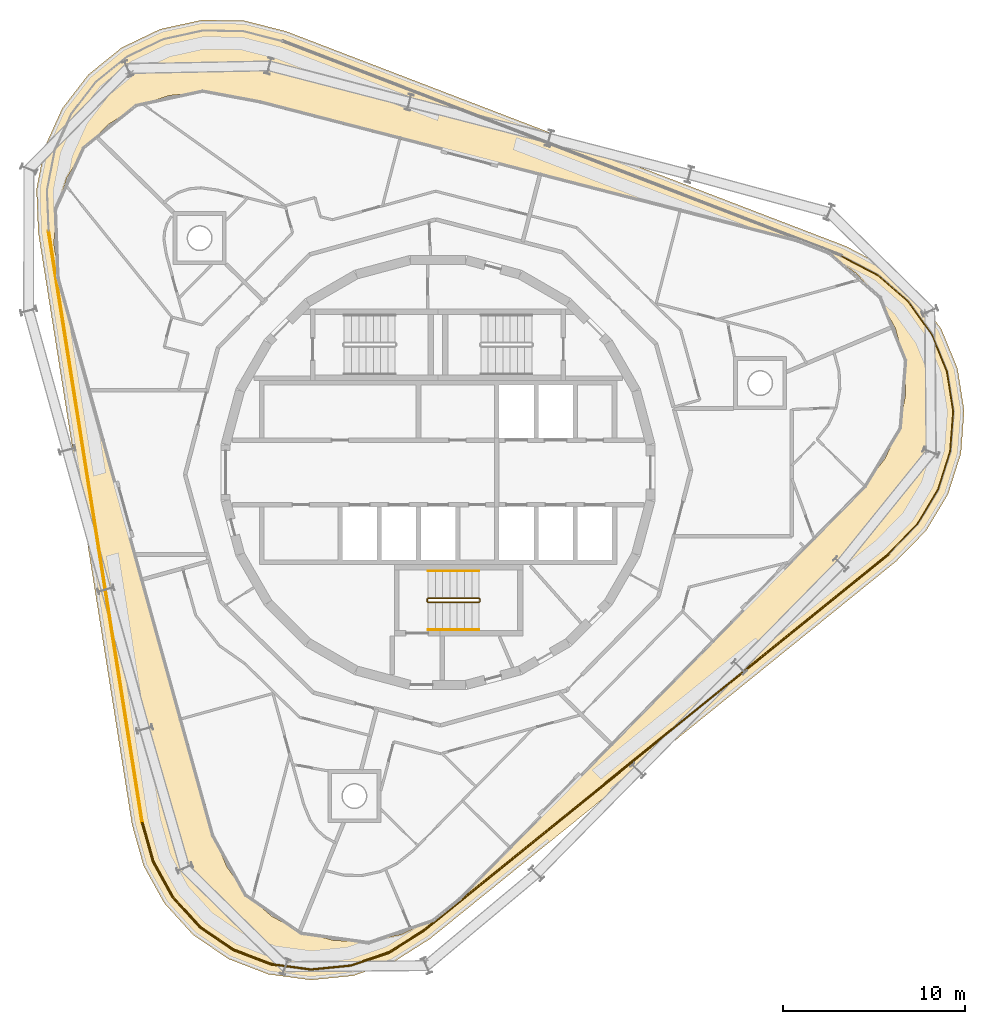
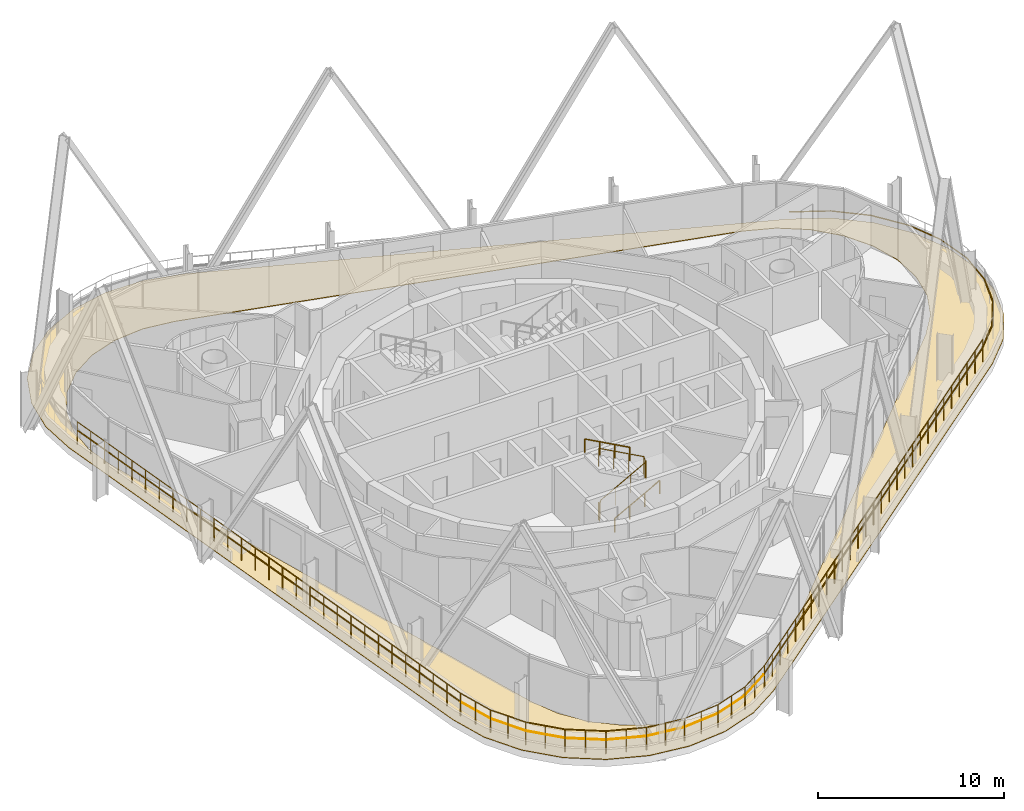
# One storey, part 16 of 18: 10 railings, 1 covering.
"""IFC4 building model written with IfcOpenShell, lengths in metres."""

from ifc_helpers import new_model, si_unit, direction, frame, origin, origin_2d, place, context, subcontext, project, spatial, polyline, circle, outline, extrude, material, layer, layer_set, type_object, element, save


model = new_model("IFC4")

# Units and contexts
model_context = context("Model", 3, precision=1e-05, world=origin(), true_north=direction((0.0, 1.0)))
body_context = subcontext(model_context, "Body", "Model", "MODEL_VIEW")
ifc_project = project(units=[si_unit("LENGTHUNIT", "METRE"), si_unit("AREAUNIT", "SQUARE_METRE"), si_unit("VOLUMEUNIT", "CUBIC_METRE"), si_unit("PLANEANGLEUNIT", "RADIAN"), si_unit("MASSUNIT", "GRAM", prefix="KILO")], contexts=[model_context])

# Site, building, storey
site_placement = place(None, origin())
site = spatial("IfcSite", under=ifc_project, at=site_placement, CompositionType="ELEMENT")
building_placement = place(site_placement, origin())
building = spatial("IfcBuilding", under=site, at=building_placement, Name="Spindle Arch Residences", CompositionType="ELEMENT")
storey_placement = place(building_placement, frame((0.0, 0.0, 298.199951171875)))
storey = spatial("IfcBuildingStorey", under=building, at=storey_placement, Name="L76", CompositionType="ELEMENT", Elevation=298.199951171875)

# Railings
ifc_material_1 = material(Name="Steel, painted", Category="steel")
railing_type_1 = type_object("IfcRailingType", Name="Stair guard 1100", PredefinedType="GUARDRAIL", material=ifc_material_1)
railing_1_placement = place(storey_placement, frame((-0.550048828125, -6.89990234375, 3.5)))
element("IfcRailing", 1, at=railing_1_placement, inside=storey, type_object=railing_type_1, Name="L76 ST3 stair guard 1", PredefinedType="GUARDRAIL", context=body_context, shape_type="SweptSolid", body=[
    extrude(circle(Radius=0.02392578125, at=origin_2d()), frame((0.0, 0.0, 1.17578125), z_axis=(0.877374661878, 0.0, -0.479805901063), x_axis=(0.0, 1.0, 0.0)), (0.0, 0.0, 1.0), 3.19140625),
    extrude(circle(Radius=0.02392578125, at=origin_2d()), frame((2.800048828125, 0.0, -0.35546875), z_axis=(0.217683172539, -0.217683172539, -0.951434744366), x_axis=(0.707106781187, 0.707106781187, 0.0)), (0.0, 0.0, 1.0), 0.22998046875),
    extrude(circle(Radius=0.02392578125, at=origin_2d()), frame((2.85009765625, -0.050048828125, -0.57421875), z_axis=(0.0, -1.0, 0.0), x_axis=(1.0, 0.0, 0.0)), (0.0, 0.0, 1.0), 0.1201171875),
    extrude(circle(Radius=0.02392578125, at=origin_2d()), frame((2.85009765625, -0.170166015625, -0.57421875), z_axis=(-0.707106781187, -0.707106781187, 0.0), x_axis=(0.707106781187, -0.707106781187, 0.0)), (0.0, 0.0, 1.0), 0.07080078125),
    extrude(circle(Radius=0.02392578125, at=origin_2d()), frame((2.800048828125, -0.22021484375, -0.57421875), z_axis=(-0.877374661878, 0.0, -0.479805901063), x_axis=(0.0, -1.0, 0.0)), (0.0, 0.0, 1.0), 3.19140625),
    extrude(circle(Radius=0.02392578125, at=origin_2d()), frame((0.0, -0.22021484375, -2.10546875), z_axis=(-0.217683172539, 0.217683172539, -0.951434744366), x_axis=(-0.707106781187, -0.707106781187, 0.0)), (0.0, 0.0, 1.0), 0.22998046875),
    extrude(circle(Radius=0.02392578125, at=origin_2d()), frame((-0.050048828125, -0.170166015625, -2.32421875), z_axis=(0.0, 1.0, 0.0), x_axis=(-1.0, 0.0, 0.0)), (0.0, 0.0, 1.0), 0.1201171875),
    extrude(circle(Radius=0.02099609375, at=origin_2d()), origin(), (0.0, 0.0, 1.0), 1.15185546875),
    extrude(circle(Radius=0.02099609375, at=origin_2d()), frame((0.933349609375, 0.0, -0.510498046875)), (0.0, 0.0, 1.0), 1.15185546875),
    extrude(circle(Radius=0.02099609375, at=origin_2d()), frame((1.86669921875, 0.0, -1.020751953125)), (0.0, 0.0, 1.0), 1.15185546875),
    extrude(circle(Radius=0.02099609375, at=origin_2d()), frame((2.800048828125, 0.0, -1.53125)), (0.0, 0.0, 1.0), 1.15185546875),
    extrude(circle(Radius=0.02099609375, at=origin_2d()), frame((2.85009765625, -0.050048828125, -1.75)), (0.0, 0.0, 1.0), 1.15185546875),
    extrude(circle(Radius=0.02099609375, at=origin_2d()), frame((2.85009765625, -0.170166015625, -1.75)), (0.0, 0.0, 1.0), 1.15185546875),
    extrude(circle(Radius=0.02099609375, at=origin_2d()), frame((2.800048828125, -0.22021484375, -1.75)), (0.0, 0.0, 1.0), 1.15185546875),
    extrude(circle(Radius=0.02099609375, at=origin_2d()), frame((1.86669921875, -0.22021484375, -2.260498046875)), (0.0, 0.0, 1.0), 1.15185546875),
    extrude(circle(Radius=0.02099609375, at=origin_2d()), frame((0.933349609375, -0.22021484375, -2.770751953125)), (0.0, 0.0, 1.0), 1.15185546875),
    extrude(circle(Radius=0.02099609375, at=origin_2d()), frame((0.0, -0.22021484375, -3.28125)), (0.0, 0.0, 1.0), 1.15185546875),
    extrude(circle(Radius=0.02099609375, at=origin_2d()), frame((-0.050048828125, -0.170166015625, -3.5)), (0.0, 0.0, 1.0), 1.15185546875),
    extrude(circle(Radius=0.02099609375, at=origin_2d()), frame((-0.050048828125, -0.050048828125, -3.5)), (0.0, 0.0, 1.0), 1.15185546875),
])
ifc_material_2 = material(Name="Steel, painted", Category="steel")
railing_type_2 = type_object("IfcRailingType", Name="Stair handrail 900", PredefinedType="HANDRAIL", material=ifc_material_2)
railing_2_placement = place(storey_placement, frame((-0.550048828125, -8.6201171875, 0.21875)))
element("IfcRailing", 2, at=railing_2_placement, inside=storey, type_object=railing_type_2, Name="L76 ST3 stair handrail 1", PredefinedType="HANDRAIL", context=body_context, shape_type="SweptSolid", body=[
    extrude(circle(Radius=0.02392578125, at=origin_2d()), frame((0.0, 0.0, 0.8759765625), z_axis=(0.877374661878, 0.0, 0.479805901063), x_axis=(0.0, 1.0, 0.0)), (0.0, 0.0, 1.0), 3.19140625),
    extrude(circle(Radius=0.02099609375, at=origin_2d()), origin(), (0.0, 0.0, 1.0), 0.851806640625),
    extrude(circle(Radius=0.02099609375, at=origin_2d()), frame((0.933349609375, 0.0, 0.510498046875)), (0.0, 0.0, 1.0), 0.851806640625),
    extrude(circle(Radius=0.02099609375, at=origin_2d()), frame((1.86669921875, 0.0, 1.020751953125)), (0.0, 0.0, 1.0), 0.851806640625),
    extrude(circle(Radius=0.02099609375, at=origin_2d()), frame((2.800048828125, 0.0, 1.53125)), (0.0, 0.0, 1.0), 0.851806640625),
])
railing_3_placement = place(storey_placement, frame((2.25, -5.39990234375, 1.96875)))
element("IfcRailing", 3, at=railing_3_placement, inside=storey, type_object=railing_type_2, Name="L76 ST3 stair handrail 2", PredefinedType="HANDRAIL", context=body_context, shape_type="SweptSolid", body=[
    extrude(circle(Radius=0.02392578125, at=origin_2d()), frame((0.0, 0.0, 0.8759765625), z_axis=(-0.877374661878, 0.0, 0.479805901063), x_axis=(0.0, -1.0, 0.0)), (0.0, 0.0, 1.0), 3.19140625),
    extrude(circle(Radius=0.02099609375, at=origin_2d()), origin(), (0.0, 0.0, 1.0), 0.851806640625),
    extrude(circle(Radius=0.02099609375, at=origin_2d()), frame((-0.933349609375, 0.0, 0.510498046875)), (0.0, 0.0, 1.0), 0.851806640625),
    extrude(circle(Radius=0.02099609375, at=origin_2d()), frame((-1.86669921875, 0.0, 1.020751953125)), (0.0, 0.0, 1.0), 0.851806640625),
    extrude(circle(Radius=0.02099609375, at=origin_2d()), frame((-2.800048828125, 0.0, 1.53125)), (0.0, 0.0, 1.0), 0.851806640625),
])
ifc_material_3 = material(Name="Bronze anodised aluminium guard with glass infill", Category="aluminium")
railing_type_3 = type_object("IfcRailingType", Name="Terrace guard 1500", PredefinedType="GUARDRAIL", material=ifc_material_3)
railing_4_placement = place(storey_placement, frame((24.744384765625, -4.470703125, 0.030029296875)))
element("IfcRailing", 4, at=railing_4_placement, inside=storey, type_object=railing_type_3, Name="Terrace guard L75 1", PredefinedType="GUARDRAIL", context=body_context, shape_type="SweptSolid", body=[
    extrude(circle(Radius=0.02392578125, at=origin_2d()), frame((0.0, 0.0, 1.47607421875), z_axis=(-0.777145119372, -0.629321430937, 0.0), x_axis=(0.629321430937, -0.777145119372, 0.0)), (0.0, 0.0, 1.0), 32.833251953125),
    extrude(circle(Radius=0.02099609375, at=origin_2d()), origin(), (0.0, 0.0, 1.0), 1.451904296875),
    extrude(circle(Radius=0.02099609375, at=origin_2d()), frame((-0.911376953125, -0.738037109375, 0.0)), (0.0, 0.0, 1.0), 1.451904296875),
    extrude(circle(Radius=0.02099609375, at=origin_2d()), frame((-1.822509765625, -1.475830078125, 0.0)), (0.0, 0.0, 1.0), 1.451904296875),
    extrude(circle(Radius=0.02099609375, at=origin_2d()), frame((-2.73388671875, -2.2138671875, 0.0)), (0.0, 0.0, 1.0), 1.451904296875),
    extrude(circle(Radius=0.02099609375, at=origin_2d()), frame((-3.645263671875, -2.951904296875, 0.0)), (0.0, 0.0, 1.0), 1.451904296875),
    extrude(circle(Radius=0.02099609375, at=origin_2d()), frame((-4.556396484375, -3.689697265625, 0.0)), (0.0, 0.0, 1.0), 1.451904296875),
    extrude(circle(Radius=0.02099609375, at=origin_2d()), frame((-5.4677734375, -4.427734375, 0.0)), (0.0, 0.0, 1.0), 1.451904296875),
    extrude(circle(Radius=0.02099609375, at=origin_2d()), frame((-6.37890625, -5.16552734375, 0.0)), (0.0, 0.0, 1.0), 1.451904296875),
    extrude(circle(Radius=0.02099609375, at=origin_2d()), frame((-7.290283203125, -5.903564453125, 0.0)), (0.0, 0.0, 1.0), 1.451904296875),
    extrude(circle(Radius=0.02099609375, at=origin_2d()), frame((-8.20166015625, -6.6416015625, 0.0)), (0.0, 0.0, 1.0), 1.451904296875),
    extrude(circle(Radius=0.02099609375, at=origin_2d()), frame((-9.11279296875, -7.37939453125, 0.0)), (0.0, 0.0, 1.0), 1.451904296875),
    extrude(circle(Radius=0.02099609375, at=origin_2d()), frame((-10.024169921875, -8.117431640625, 0.0)), (0.0, 0.0, 1.0), 1.451904296875),
    extrude(circle(Radius=0.02099609375, at=origin_2d()), frame((-10.935546875, -8.85546875, 0.0)), (0.0, 0.0, 1.0), 1.451904296875),
    extrude(circle(Radius=0.02099609375, at=origin_2d()), frame((-11.8466796875, -9.59326171875, 0.0)), (0.0, 0.0, 1.0), 1.451904296875),
    extrude(circle(Radius=0.02099609375, at=origin_2d()), frame((-12.758056640625, -10.331298828125, 0.0)), (0.0, 0.0, 1.0), 1.451904296875),
    extrude(circle(Radius=0.02099609375, at=origin_2d()), frame((-13.66943359375, -11.0693359375, 0.0)), (0.0, 0.0, 1.0), 1.451904296875),
    extrude(circle(Radius=0.02099609375, at=origin_2d()), frame((-14.58056640625, -11.80712890625, 0.0)), (0.0, 0.0, 1.0), 1.451904296875),
    extrude(circle(Radius=0.02099609375, at=origin_2d()), frame((-15.491943359375, -12.545166015625, 0.0)), (0.0, 0.0, 1.0), 1.451904296875),
    extrude(circle(Radius=0.02099609375, at=origin_2d()), frame((-16.4033203125, -13.283203125, 0.0)), (0.0, 0.0, 1.0), 1.451904296875),
    extrude(circle(Radius=0.02099609375, at=origin_2d()), frame((-17.314453125, -14.02099609375, 0.0)), (0.0, 0.0, 1.0), 1.451904296875),
    extrude(circle(Radius=0.02099609375, at=origin_2d()), frame((-18.225830078125, -14.759033203125, 0.0)), (0.0, 0.0, 1.0), 1.451904296875),
    extrude(circle(Radius=0.02099609375, at=origin_2d()), frame((-19.13720703125, -15.4970703125, 0.0)), (0.0, 0.0, 1.0), 1.451904296875),
    extrude(circle(Radius=0.02099609375, at=origin_2d()), frame((-20.04833984375, -16.23486328125, 0.0)), (0.0, 0.0, 1.0), 1.451904296875),
    extrude(circle(Radius=0.02099609375, at=origin_2d()), frame((-20.959716796875, -16.972900390625, 0.0)), (0.0, 0.0, 1.0), 1.451904296875),
    extrude(circle(Radius=0.02099609375, at=origin_2d()), frame((-21.870849609375, -17.710693359375, 0.0)), (0.0, 0.0, 1.0), 1.451904296875),
    extrude(circle(Radius=0.02099609375, at=origin_2d()), frame((-22.7822265625, -18.44873046875, 0.0)), (0.0, 0.0, 1.0), 1.451904296875),
    extrude(circle(Radius=0.02099609375, at=origin_2d()), frame((-23.693603515625, -19.186767578125, 0.0)), (0.0, 0.0, 1.0), 1.451904296875),
    extrude(circle(Radius=0.02099609375, at=origin_2d()), frame((-24.604736328125, -19.924560546875, 0.0)), (0.0, 0.0, 1.0), 1.451904296875),
    extrude(circle(Radius=0.02099609375, at=origin_2d()), frame((-25.51611328125, -20.66259765625, 0.0)), (0.0, 0.0, 1.0), 1.451904296875),
])
railing_5_placement = place(storey_placement, frame((-0.771728515625, -25.13330078125, 0.030029296875)))
element("IfcRailing", 5, at=railing_5_placement, inside=storey, type_object=railing_type_3, Name="Terrace guard L75 2", PredefinedType="GUARDRAIL", context=body_context, shape_type="SweptSolid", body=[
    extrude(circle(Radius=0.02392578125, at=origin_2d()), frame((0.0, 0.0, 1.47607421875), z_axis=(-0.844946657554, -0.534850582769, 0.0), x_axis=(0.534850582769, -0.844946657554, 0.0)), (0.0, 0.0, 1.0), 2.24853515625),
    extrude(circle(Radius=0.02392578125, at=origin_2d()), frame((-1.89990234375, -1.20263671875, 1.47607421875), z_axis=(-0.945520357548, -0.325562979256, 0.0), x_axis=(0.325562979256, -0.945520357548, 0.0)), (0.0, 0.0, 1.0), 2.216796875),
    extrude(circle(Radius=0.02392578125, at=origin_2d()), frame((-3.995849609375, -1.92431640625, 1.47607421875), z_axis=(-0.995117568697, -0.098696628465, 0.0), x_axis=(0.098696628465, -0.995117568697, 0.0)), (0.0, 0.0, 1.0), 2.21630859375),
    extrude(circle(Radius=0.02392578125, at=origin_2d()), frame((-6.201416015625, -2.14306640625, 1.47607421875), z_axis=(-0.991064582005, 0.133382886064, 0.0), x_axis=(-0.133382886064, -0.991064582005, 0.0)), (0.0, 0.0, 1.0), 2.216552734375),
    extrude(circle(Radius=0.02392578125, at=origin_2d()), frame((-8.398193359375, -1.847412109375, 1.47607421875), z_axis=(-0.933603698355, 0.358307318399, 0.0), x_axis=(-0.358307318399, -0.933603698355, 0.0)), (0.0, 0.0, 1.0), 2.216552734375),
    extrude(circle(Radius=0.02392578125, at=origin_2d()), frame((-10.467529296875, -1.05322265625, 1.47607421875), z_axis=(-0.825744677305, 0.564044083297, 0.0), x_axis=(-0.564044083297, -0.825744677305, 0.0)), (0.0, 0.0, 1.0), 2.216552734375),
    extrude(circle(Radius=0.02392578125, at=origin_2d()), frame((-12.2978515625, 0.197021484375, 1.47607421875), z_axis=(-0.673461908139, 0.739221927628, 0.0), x_axis=(-0.739221927628, -0.673461908139, 0.0)), (0.0, 0.0, 1.0), 2.21630859375),
    extrude(circle(Radius=0.02392578125, at=origin_2d()), frame((-13.79052734375, 1.83544921875, 1.47607421875), z_axis=(-0.484744895414, 0.874655581569, 0.0), x_axis=(-0.874655581569, -0.484744895414, 0.0)), (0.0, 0.0, 1.0), 2.216552734375),
    extrude(circle(Radius=0.02392578125, at=origin_2d()), frame((-14.864990234375, 3.774169921875, 1.47607421875), z_axis=(-0.270028605217, 0.962852300389, 0.0), x_axis=(-0.962852300389, -0.270028605217, 0.0)), (0.0, 0.0, 1.0), 2.24853515625),
    extrude(circle(Radius=0.02099609375, at=origin_2d()), origin(), (0.0, 0.0, 1.0), 1.451904296875),
    extrude(circle(Radius=0.02099609375, at=origin_2d()), frame((-0.949951171875, -0.601318359375, 0.0)), (0.0, 0.0, 1.0), 1.451904296875),
    extrude(circle(Radius=0.02099609375, at=origin_2d()), frame((-1.89990234375, -1.20263671875, 0.0)), (0.0, 0.0, 1.0), 1.451904296875),
    extrude(circle(Radius=0.02099609375, at=origin_2d()), frame((-2.94775390625, -1.5634765625, 0.0)), (0.0, 0.0, 1.0), 1.451904296875),
    extrude(circle(Radius=0.02099609375, at=origin_2d()), frame((-3.995849609375, -1.92431640625, 0.0)), (0.0, 0.0, 1.0), 1.451904296875),
    extrude(circle(Radius=0.02099609375, at=origin_2d()), frame((-5.0986328125, -2.03369140625, 0.0)), (0.0, 0.0, 1.0), 1.451904296875),
    extrude(circle(Radius=0.02099609375, at=origin_2d()), frame((-6.201416015625, -2.14306640625, 0.0)), (0.0, 0.0, 1.0), 1.451904296875),
    extrude(circle(Radius=0.02099609375, at=origin_2d()), frame((-7.2998046875, -1.9951171875, 0.0)), (0.0, 0.0, 1.0), 1.451904296875),
    extrude(circle(Radius=0.02099609375, at=origin_2d()), frame((-8.398193359375, -1.847412109375, 0.0)), (0.0, 0.0, 1.0), 1.451904296875),
    extrude(circle(Radius=0.02099609375, at=origin_2d()), frame((-9.432861328125, -1.4501953125, 0.0)), (0.0, 0.0, 1.0), 1.451904296875),
    extrude(circle(Radius=0.02099609375, at=origin_2d()), frame((-10.467529296875, -1.05322265625, 0.0)), (0.0, 0.0, 1.0), 1.451904296875),
    extrude(circle(Radius=0.02099609375, at=origin_2d()), frame((-11.3828125, -0.42822265625, 0.0)), (0.0, 0.0, 1.0), 1.451904296875),
    extrude(circle(Radius=0.02099609375, at=origin_2d()), frame((-12.2978515625, 0.197021484375, 0.0)), (0.0, 0.0, 1.0), 1.451904296875),
    extrude(circle(Radius=0.02099609375, at=origin_2d()), frame((-13.044189453125, 1.01611328125, 0.0)), (0.0, 0.0, 1.0), 1.451904296875),
    extrude(circle(Radius=0.02099609375, at=origin_2d()), frame((-13.79052734375, 1.83544921875, 0.0)), (0.0, 0.0, 1.0), 1.451904296875),
    extrude(circle(Radius=0.02099609375, at=origin_2d()), frame((-14.32763671875, 2.8046875, 0.0)), (0.0, 0.0, 1.0), 1.451904296875),
    extrude(circle(Radius=0.02099609375, at=origin_2d()), frame((-14.864990234375, 3.774169921875, 0.0)), (0.0, 0.0, 1.0), 1.451904296875),
    extrude(circle(Radius=0.02099609375, at=origin_2d()), frame((-15.16845703125, 4.856689453125, 0.0)), (0.0, 0.0, 1.0), 1.451904296875),
    extrude(circle(Radius=0.02099609375, at=origin_2d()), frame((-15.47216796875, 5.939208984375, 0.0)), (0.0, 0.0, 1.0), 1.451904296875),
])
railing_6_placement = place(storey_placement, frame((-16.243896484375, -19.194091796875, 0.030029296875)))
element("IfcRailing", 6, at=railing_6_placement, inside=storey, type_object=railing_type_3, Name="Terrace guard L75 3", PredefinedType="GUARDRAIL", context=body_context, shape_type="SweptSolid", body=[
    extrude(circle(Radius=0.02392578125, at=origin_2d()), frame((0.0, 0.0, 1.47607421875), z_axis=(-0.156434125388, 0.987688394391, 0.0), x_axis=(-0.987688394391, -0.156434125388, 0.0)), (0.0, 0.0, 1.0), 32.833251953125),
    extrude(circle(Radius=0.02099609375, at=origin_2d()), origin(), (0.0, 0.0, 1.0), 1.451904296875),
    extrude(circle(Radius=0.02099609375, at=origin_2d()), frame((-0.183349609375, 1.158203125, 0.0)), (0.0, 0.0, 1.0), 1.451904296875),
    extrude(circle(Radius=0.02099609375, at=origin_2d()), frame((-0.366943359375, 2.31640625, 0.0)), (0.0, 0.0, 1.0), 1.451904296875),
    extrude(circle(Radius=0.02099609375, at=origin_2d()), frame((-0.55029296875, 3.474609375, 0.0)), (0.0, 0.0, 1.0), 1.451904296875),
    extrude(circle(Radius=0.02099609375, at=origin_2d()), frame((-0.733642578125, 4.6328125, 0.0)), (0.0, 0.0, 1.0), 1.451904296875),
    extrude(circle(Radius=0.02099609375, at=origin_2d()), frame((-0.917236328125, 5.790771484375, 0.0)), (0.0, 0.0, 1.0), 1.451904296875),
    extrude(circle(Radius=0.02099609375, at=origin_2d()), frame((-1.1005859375, 6.948974609375, 0.0)), (0.0, 0.0, 1.0), 1.451904296875),
    extrude(circle(Radius=0.02099609375, at=origin_2d()), frame((-1.2841796875, 8.107177734375, 0.0)), (0.0, 0.0, 1.0), 1.451904296875),
    extrude(circle(Radius=0.02099609375, at=origin_2d()), frame((-1.467529296875, 9.265380859375, 0.0)), (0.0, 0.0, 1.0), 1.451904296875),
    extrude(circle(Radius=0.02099609375, at=origin_2d()), frame((-1.65087890625, 10.423583984375, 0.0)), (0.0, 0.0, 1.0), 1.451904296875),
    extrude(circle(Radius=0.02099609375, at=origin_2d()), frame((-1.83447265625, 11.581787109375, 0.0)), (0.0, 0.0, 1.0), 1.451904296875),
    extrude(circle(Radius=0.02099609375, at=origin_2d()), frame((-2.017822265625, 12.739990234375, 0.0)), (0.0, 0.0, 1.0), 1.451904296875),
    extrude(circle(Radius=0.02099609375, at=origin_2d()), frame((-2.201171875, 13.898193359375, 0.0)), (0.0, 0.0, 1.0), 1.451904296875),
    extrude(circle(Radius=0.02099609375, at=origin_2d()), frame((-2.384765625, 15.056396484375, 0.0)), (0.0, 0.0, 1.0), 1.451904296875),
    extrude(circle(Radius=0.02099609375, at=origin_2d()), frame((-2.568115234375, 16.21435546875, 0.0)), (0.0, 0.0, 1.0), 1.451904296875),
    extrude(circle(Radius=0.02099609375, at=origin_2d()), frame((-2.75146484375, 17.37255859375, 0.0)), (0.0, 0.0, 1.0), 1.451904296875),
    extrude(circle(Radius=0.02099609375, at=origin_2d()), frame((-2.93505859375, 18.53076171875, 0.0)), (0.0, 0.0, 1.0), 1.451904296875),
    extrude(circle(Radius=0.02099609375, at=origin_2d()), frame((-3.118408203125, 19.68896484375, 0.0)), (0.0, 0.0, 1.0), 1.451904296875),
    extrude(circle(Radius=0.02099609375, at=origin_2d()), frame((-3.3017578125, 20.84716796875, 0.0)), (0.0, 0.0, 1.0), 1.451904296875),
    extrude(circle(Radius=0.02099609375, at=origin_2d()), frame((-3.4853515625, 22.00537109375, 0.0)), (0.0, 0.0, 1.0), 1.451904296875),
    extrude(circle(Radius=0.02099609375, at=origin_2d()), frame((-3.668701171875, 23.16357421875, 0.0)), (0.0, 0.0, 1.0), 1.451904296875),
    extrude(circle(Radius=0.02099609375, at=origin_2d()), frame((-3.85205078125, 24.32177734375, 0.0)), (0.0, 0.0, 1.0), 1.451904296875),
    extrude(circle(Radius=0.02099609375, at=origin_2d()), frame((-4.03564453125, 25.47998046875, 0.0)), (0.0, 0.0, 1.0), 1.451904296875),
    extrude(circle(Radius=0.02099609375, at=origin_2d()), frame((-4.218994140625, 26.63818359375, 0.0)), (0.0, 0.0, 1.0), 1.451904296875),
    extrude(circle(Radius=0.02099609375, at=origin_2d()), frame((-4.402587890625, 27.796142578125, 0.0)), (0.0, 0.0, 1.0), 1.451904296875),
    extrude(circle(Radius=0.02099609375, at=origin_2d()), frame((-4.5859375, 28.954345703125, 0.0)), (0.0, 0.0, 1.0), 1.451904296875),
    extrude(circle(Radius=0.02099609375, at=origin_2d()), frame((-4.769287109375, 30.112548828125, 0.0)), (0.0, 0.0, 1.0), 1.451904296875),
    extrude(circle(Radius=0.02099609375, at=origin_2d()), frame((-4.952880859375, 31.270751953125, 0.0)), (0.0, 0.0, 1.0), 1.451904296875),
    extrude(circle(Radius=0.02099609375, at=origin_2d()), frame((-5.13623046875, 32.428955078125, 0.0)), (0.0, 0.0, 1.0), 1.451904296875),
])
ifc_material_4 = material(Name="Bronze anodised aluminium handrail", Category="aluminium")
railing_type_4 = type_object("IfcRailingType", Name="Terrace handrail 900", PredefinedType="HANDRAIL", material=ifc_material_4)
railing_7_placement = place(storey_placement, frame((24.716064453125, -4.439697265625, 0.030029296875)))
element("IfcRailing", 7, at=railing_7_placement, inside=storey, type_object=railing_type_4, Name="Terrace handrail L75 1", PredefinedType="HANDRAIL", context=body_context, shape_type="SweptSolid", body=[
    extrude(circle(Radius=0.02392578125, at=origin_2d()), frame((0.0, 0.0, 0.8759765625), z_axis=(-0.7771452773, -0.629321235913, 0.0), x_axis=(0.629321235913, -0.7771452773, 0.0)), (0.0, 0.0, 1.0), 32.828125),
])
railing_8_placement = place(storey_placement, frame((-0.796142578125, -25.09912109375, 0.030029296875)))
element("IfcRailing", 8, at=railing_8_placement, inside=storey, type_object=railing_type_4, Name="Terrace handrail L75 2", PredefinedType="HANDRAIL", context=body_context, shape_type="SweptSolid", body=[
    extrude(circle(Radius=0.02392578125, at=origin_2d()), frame((0.0, 0.0, 0.8759765625), z_axis=(-0.844955273085, -0.534836971877, 0.0), x_axis=(0.534836971877, -0.844955273085, 0.0)), (0.0, 0.0, 1.0), 2.2412109375),
    extrude(circle(Radius=0.02392578125, at=origin_2d()), frame((-1.893798828125, -1.19873046875, 0.8759765625), z_axis=(-0.94551748964, -0.325571308296, 0.0), x_axis=(0.325571308296, -0.94551748964, 0.0)), (0.0, 0.0, 1.0), 2.206787109375),
    extrude(circle(Radius=0.02392578125, at=origin_2d()), frame((-3.98046875, -1.917236328125, 0.8759765625), z_axis=(-0.99511792474, -0.098693038567, 0.0), x_axis=(0.098693038567, -0.99511792474, 0.0)), (0.0, 0.0, 1.0), 2.20654296875),
    extrude(circle(Radius=0.02392578125, at=origin_2d()), frame((-6.17626953125, -2.135009765625, 0.8759765625), z_axis=(-0.991058973703, 0.133424550378, 0.0), x_axis=(-0.133424550378, -0.991058973703, 0.0)), (0.0, 0.0, 1.0), 2.206787109375),
    extrude(circle(Radius=0.02392578125, at=origin_2d()), frame((-8.36328125, -1.840576171875, 0.8759765625), z_axis=(-0.933582082142, 0.358363636414, 0.0), x_axis=(-0.358363636414, -0.933582082142, 0.0)), (0.0, 0.0, 1.0), 2.20654296875),
    extrude(circle(Radius=0.02392578125, at=origin_2d()), frame((-10.42333984375, -1.0498046875, 0.8759765625), z_axis=(-0.825768306583, 0.564009489143, 0.0), x_axis=(-0.564009489143, -0.825768306583, 0.0)), (0.0, 0.0, 1.0), 2.206787109375),
    extrude(circle(Radius=0.02392578125, at=origin_2d()), frame((-12.24560546875, 0.19482421875, 0.8759765625), z_axis=(-0.673481935291, 0.739203681564, 0.0), x_axis=(-0.739203681564, -0.673481935291, 0.0)), (0.0, 0.0, 1.0), 2.20654296875),
    extrude(circle(Radius=0.02392578125, at=origin_2d()), frame((-13.731689453125, 1.825927734375, 0.8759765625), z_axis=(-0.484778531258, 0.874636939325, 0.0), x_axis=(-0.874636939325, -0.484778531258, 0.0)), (0.0, 0.0, 1.0), 2.206787109375),
    extrude(circle(Radius=0.02392578125, at=origin_2d()), frame((-14.801513671875, 3.756103515625, 0.8759765625), z_axis=(-0.270042031675, 0.962848534884, 0.0), x_axis=(-0.962848534884, -0.270042031675, 0.0)), (0.0, 0.0, 1.0), 2.2412109375),
])
railing_9_placement = place(storey_placement, frame((-16.202880859375, -19.18505859375, 0.030029296875)))
element("IfcRailing", 9, at=railing_9_placement, inside=storey, type_object=railing_type_4, Name="Terrace handrail L75 3", PredefinedType="HANDRAIL", context=body_context, shape_type="SweptSolid", body=[
    extrude(circle(Radius=0.02392578125, at=origin_2d()), frame((0.0, 0.0, 0.8759765625), z_axis=(-0.156435341905, 0.987688201713, 0.0), x_axis=(-0.987688201713, -0.156435341905, 0.0)), (0.0, 0.0, 1.0), 32.828125),
])
railing_10_placement = place(storey_placement, frame((22.134521484375, 11.860107421875, 0.030029296875)))
element("IfcRailing", 10, at=railing_10_placement, inside=storey, type_object=railing_type_4, Name="Terrace handrail L75 6", PredefinedType="HANDRAIL", context=body_context, shape_type="SweptSolid", body=[
    extrude(circle(Radius=0.02392578125, at=origin_2d()), frame((0.0, 0.0, 0.8759765625), z_axis=(0.885656652193, -0.464340709421, 0.0), x_axis=(0.464340709421, 0.885656652193, 0.0)), (0.0, 0.0, 1.0), 2.241455078125),
    extrude(circle(Radius=0.02392578125, at=origin_2d()), frame((1.985107421875, -1.040771484375, 0.8759765625), z_axis=(0.754724595837, -0.656041755103, 0.0), x_axis=(0.656041755103, 0.754724595837, 0.0)), (0.0, 0.0, 1.0), 2.206787109375),
    extrude(circle(Radius=0.02392578125, at=origin_2d()), frame((3.650634765625, -2.488525390625, 0.8759765625), z_axis=(0.583068247693, -0.812423177003, 0.0), x_axis=(0.812423177003, 0.583068247693, 0.0)), (0.0, 0.0, 1.0), 2.20654296875),
    extrude(circle(Radius=0.02392578125, at=origin_2d()), frame((4.937255859375, -4.28125, 0.8759765625), z_axis=(0.379920544443, -0.925019124078, 0.0), x_axis=(0.925019124078, 0.379920544443, 0.0)), (0.0, 0.0, 1.0), 2.206787109375),
    extrude(circle(Radius=0.02392578125, at=origin_2d()), frame((5.775634765625, -6.322509765625, 0.8759765625), z_axis=(0.156445485102, -0.987686595126, 0.0), x_axis=(0.987686595126, 0.156445485102, 0.0)), (0.0, 0.0, 1.0), 2.20654296875),
    extrude(circle(Radius=0.02392578125, at=origin_2d()), frame((6.120849609375, -8.501953125, 0.8759765625), z_axis=(-0.075562779835, -0.997141046344, 0.0), x_axis=(0.997141046344, -0.075562779835, 0.0)), (0.0, 0.0, 1.0), 2.206787109375),
    extrude(circle(Radius=0.02392578125, at=origin_2d()), frame((5.9541015625, -10.702392578125, 0.8759765625), z_axis=(-0.303486783834, -0.952835647968, 0.0), x_axis=(0.952835647968, -0.303486783834, 0.0)), (0.0, 0.0, 1.0), 2.20654296875),
    extrude(circle(Radius=0.02392578125, at=origin_2d()), frame((5.284423828125, -12.804931640625, 0.8759765625), z_axis=(-0.515000026095, -0.857190161587, 0.0), x_axis=(0.857190161587, -0.515000026095, 0.0)), (0.0, 0.0, 1.0), 2.206787109375),
    extrude(circle(Radius=0.02392578125, at=origin_2d()), frame((4.14794921875, -14.696533203125, 0.8759765625), z_axis=(-0.698835445017, -0.71528247622, 0.0), x_axis=(0.71528247622, -0.698835445017, 0.0)), (0.0, 0.0, 1.0), 2.241455078125),
])

# Covering
ifc_material_5 = material(Name="Non-combustible mineral wool, bituminous membrane and concrete pavers", Category="concrete")
ifc_layer = layer(ifc_material_5, 0.030029296875)
ifc_layer_set = layer_set([ifc_layer], Name="Terrace roofing membrane and pavers")
covering_type = type_object("IfcCoveringType", Name="Terrace roofing membrane and pavers", PredefinedType="ROOFING", material=ifc_layer_set)
covering_placement = place(storey_placement, origin())
element("IfcCovering", 11, at=covering_placement, inside=storey, type_object=covering_type, Name="Terrace roofing L75 1", PredefinedType="ROOFING", context=body_context, shape_type="SweptSolid", body=[
    extrude(outline(polyline([(-0.450439453125, -25.580810546875), (-2.431884765625, -26.835205078125), (-4.649169921875, -27.5986328125), (-6.98291015625, -27.830078125), (-9.306884765625, -27.517333984375), (-11.496337890625, -26.677001953125), (-13.432861328125, -25.354248046875), (-15.011962890625, -23.62060546875), (-16.14892578125, -21.569580078125), (-16.7822265625, -19.311767578125), (-21.928466796875, 13.180419921875), (-22.02392578125, 15.523681640625), (-21.576416015625, 17.82568359375), (-20.610107421875, 19.96240234375), (-19.17724609375, 21.818603515625), (-17.354736328125, 23.29443359375), (-15.240966796875, 24.310302734375), (-12.9501953125, 24.81103515625), (-10.60546875, 24.770263671875), (-8.333251953125, 24.189697265625), (22.37890625, 12.400390625), (24.455810546875, 11.3115234375), (26.2255859375, 9.77294921875), (27.593017578125, 7.86767578125), (28.484130859375, 5.698486328125), (28.85107421875, 3.38232421875), (28.673828125, 1.0439453125), (27.962158203125, -1.1904296875), (26.75439453125, -3.20068359375), (25.115478515625, -4.8779296875), (12.33251953125, -15.2294921875), (-0.450439453125, -25.580810546875)]), holes=[polyline([(23.36865234375, -0.708984375), (24.508056640625, 0.758056640625), (25.2783203125, 2.4482421875), (25.637939453125, 4.2705078125), (25.567626953125, 6.126708984375), (25.0712890625, 7.916748046875), (24.175537109375, 9.5439453125), (22.9287109375, 10.920654296875), (21.39794921875, 11.97265625), (19.665771484375, 12.6435546875), (-11.0703125, 20.59228515625), (-12.910400390625, 20.845458984375), (-14.75927734375, 20.66748046875), (-16.517333984375, 20.06787109375), (-18.08984375, 19.078857421875), (-19.391845703125, 17.754150390625), (-20.35302734375, 16.164794921875), (-20.921875, 14.396484375), (-21.067626953125, 12.544677734375), (-20.782470703125, 10.709228515625), (-12.29833984375, -19.88330078125), (-11.597412109375, -21.603515625), (-10.518798828125, -23.11572265625), (-9.12060546875, -24.33837890625), (-7.47802734375, -25.205810546875), (-5.6796875, -25.670654296875), (-3.822509765625, -25.70849609375), (-2.0068359375, -25.317138671875), (-0.330322265625, -24.517333984375), (1.11669921875, -23.352783203125), (12.24267578125, -12.03076171875), (23.36865234375, -0.708984375)])]), origin(), (0.0, 0.0, 1.0), 0.030029296875),
])

save(model, "model.ifc")
